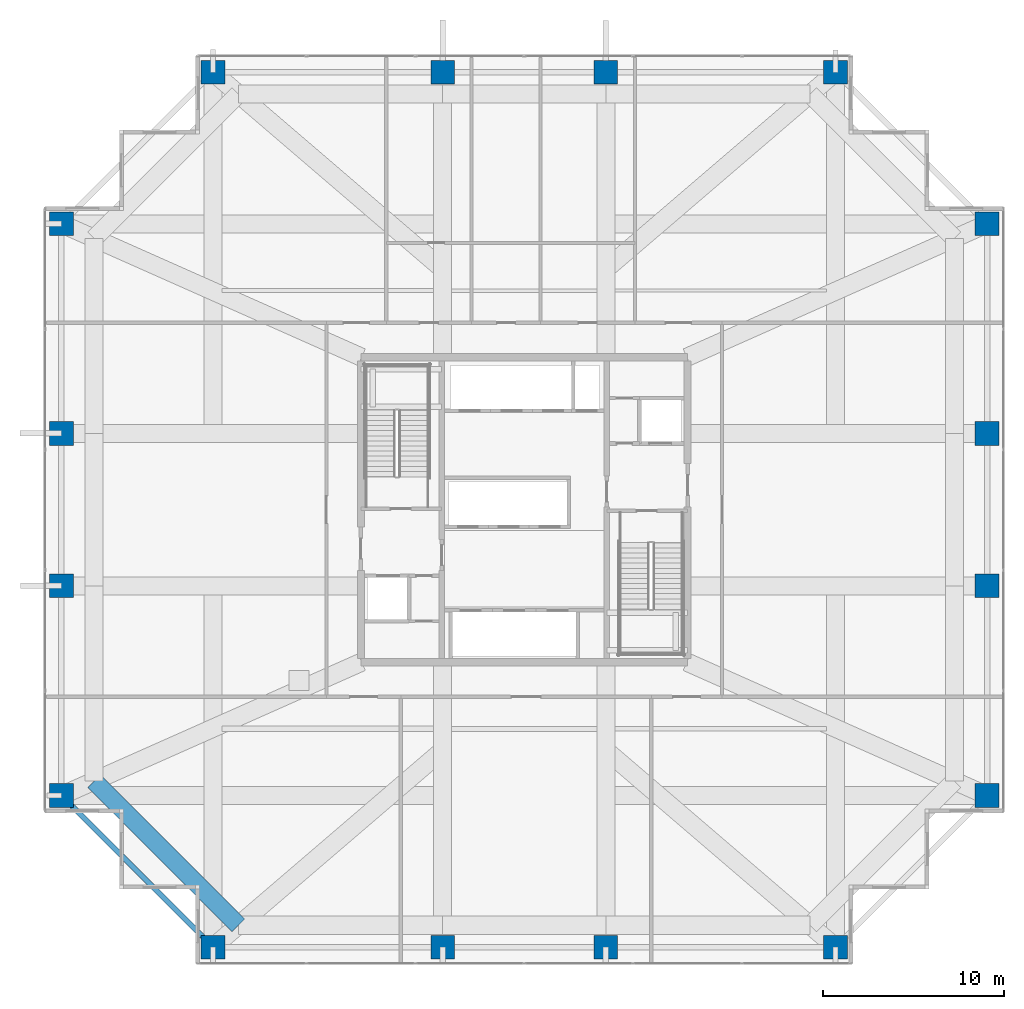
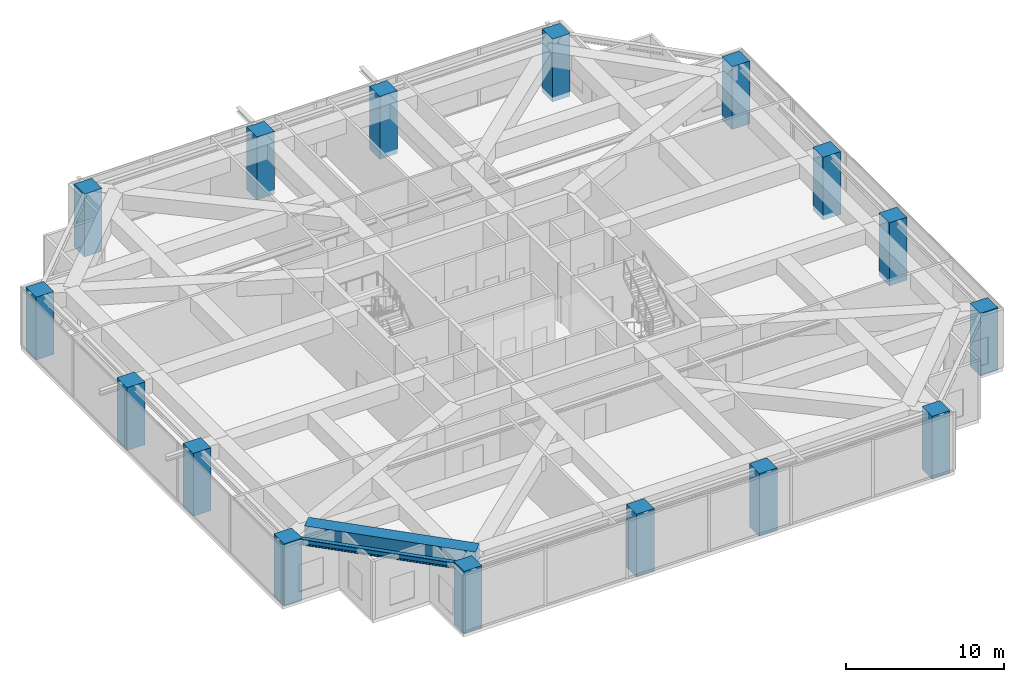
# One storey, part 1 of 35: 16 columns, 2 beams.
"""IFC4 building model written with IfcOpenShell, lengths in metres."""

from ifc_helpers import new_model, si_unit, direction, frame, origin, origin_2d, place, context, subcontext, project, spatial, rectangle, i_section, extrude, source, transform, mapped, material, material_profile, profile_set, type_object, element, save


model = new_model("IFC4")

# Units and contexts
model_context = context("Model", 3, precision=1e-05, world=origin(), true_north=direction((0.0, 1.0)))
body_context = subcontext(model_context, "Body", "Model", "MODEL_VIEW")
ifc_project = project(units=[si_unit("LENGTHUNIT", "METRE"), si_unit("AREAUNIT", "SQUARE_METRE"), si_unit("VOLUMEUNIT", "CUBIC_METRE"), si_unit("PLANEANGLEUNIT", "RADIAN"), si_unit("MASSUNIT", "GRAM", prefix="KILO")], contexts=[model_context])

# Site, building, storey
site_placement = place(None, origin())
site = spatial("IfcSite", under=ifc_project, at=site_placement, CompositionType="ELEMENT")
building_placement = place(site_placement, origin())
building = spatial("IfcBuilding", under=site, at=building_placement, Name="Serunith Strait Residences", CompositionType="ELEMENT")
storey_placement = place(building_placement, frame((0.0, 0.0, 115.199951171875)))
storey = spatial("IfcBuildingStorey", under=building, at=storey_placement, Name="L28", CompositionType="ELEMENT", Elevation=115.199951171875)

# Columns
ifc_material_1 = material(Name="Concrete C80/95", Category="concrete")
ifc_material_profile_1 = material_profile(ifc_material_1, rectangle(XDim=1.300048828125, YDim=1.300048828125, at=origin_2d()), Name="RC 1300x1300")
ifc_profile_set_1 = profile_set([ifc_material_profile_1], Name="Concrete C80/95")
column_type = type_object("IfcColumnType", Name="COL-RC-1300", PredefinedType="COLUMN", material=ifc_profile_set_1)
shared_shape_1 = source(origin(), body_context, "Body", "SweptSolid", [
    extrude(rectangle(XDim=1.300048828125, YDim=1.300048828125, at=origin_2d()), origin(), (0.0, 0.0, 1.0), 4.869873046875),
])
for number, where, z_axis, x_axis, name in (
    (1, (15.25, 1.10009765625, -0.35986328125), (0.0, 0.0, 1.0), (1.0, 0.0, 0.0), "L28 Tower Mega-Column TC-S1"),
    (2, (27.89990234375, 1.10009765625, -0.35986328125), (0.0, 0.0, 1.0), (1.0, 0.0, 0.0), "L28 Tower Mega-Column TC-S2"),
    (3, (36.89990234375, 1.10009765625, -0.35986328125), (0.0, 0.0, 1.0), (1.0, 0.0, 0.0), "L28 Tower Mega-Column TC-S3"),
    (4, (49.550048828125, 1.10009765625, -0.35986328125), (0.0, 0.0, 1.0), (1.0, 0.0, 0.0), "L28 Tower Mega-Column TC-S4"),
    (5, (15.25, 49.300048828125, -0.35986328125), (0.0, 0.0, 1.0), (1.0, 0.0, 0.0), "L28 Tower Mega-Column TC-N1"),
    (6, (27.89990234375, 49.300048828125, -0.35986328125), (0.0, 0.0, 1.0), (1.0, 0.0, 0.0), "L28 Tower Mega-Column TC-N2"),
    (7, (36.89990234375, 49.300048828125, -0.35986328125), (0.0, 0.0, 1.0), (1.0, 0.0, 0.0), "L28 Tower Mega-Column TC-N3"),
    (8, (49.550048828125, 49.300048828125, -0.35986328125), (0.0, 0.0, 1.0), (1.0, 0.0, 0.0), "L28 Tower Mega-Column TC-N4"),
    (9, (57.89990234375, 9.449951171875, -0.35986328125), (0.0, 0.0, 1.0), (1.0, 0.0, 0.0), "L28 Tower Mega-Column TC-E1"),
    (10, (57.89990234375, 21.0, -0.35986328125), (0.0, 0.0, 1.0), (1.0, 0.0, 0.0), "L28 Tower Mega-Column TC-E2"),
    (11, (57.89990234375, 29.39990234375, -0.35986328125), (0.0, 0.0, 1.0), (1.0, 0.0, 0.0), "L28 Tower Mega-Column TC-E3"),
    (12, (57.89990234375, 40.949951171875, -0.35986328125), (0.0, 0.0, 1.0), (1.0, 0.0, 0.0), "L28 Tower Mega-Column TC-E4"),
    (13, (6.89990234375, 9.449951171875, -0.35986328125), (0.0, 0.0, 1.0), (1.0, 0.0, 0.0), "L28 Tower Mega-Column TC-W1"),
    (14, (6.89990234375, 21.0, -0.35986328125), (0.0, 0.0, 1.0), (1.0, 0.0, 0.0), "L28 Tower Mega-Column TC-W2"),
    (15, (6.89990234375, 29.39990234375, -0.35986328125), (0.0, 0.0, 1.0), (1.0, 0.0, 0.0), "L28 Tower Mega-Column TC-W3"),
    (16, (6.89990234375, 40.949951171875, -0.35986328125), (0.0, 0.0, 1.0), (1.0, 0.0, 0.0), "L28 Tower Mega-Column TC-W4"),
):
    element("IfcColumn", number, at=place(storey_placement, frame(where, z_axis=z_axis, x_axis=x_axis)), inside=storey, type_object=column_type, Name=name, PredefinedType="COLUMN", context=body_context, shape_type="MappedRepresentation", body=[
        mapped(shared_shape_1, transform((0.0, 0.0, 0.0), scale=1.0)),
    ])

# Beams
ifc_material_2 = material(Name="Steel S355J2", Category="steel")
ifc_material_profile_2 = material_profile(ifc_material_2, i_section(OverallWidth=0.300048828125, OverallDepth=0.449951171875, WebThickness=0.013916015625, FlangeThickness=0.02587890625, FilletRadius=0.027099609375, at=origin_2d()), Name="HEB 450")
ifc_profile_set_2 = profile_set([ifc_material_profile_2], Name="Steel S355J2")
beam_type_1 = type_object("IfcBeamType", Name="BM-HEB450", PredefinedType="BEAM", material=ifc_profile_set_2)
shared_shape_2 = source(origin(), body_context, "Body", "SweptSolid", [
    extrude(i_section(OverallWidth=0.300048828125, OverallDepth=0.449951171875, WebThickness=0.013916015625, FlangeThickness=0.02587890625, FilletRadius=0.027099609375, at=origin_2d()), origin(), (0.0, 0.0, 1.0), 11.80859375),
])
beam_1_placement = place(storey_placement, frame((6.89990234375, 9.449951171875, 4.281982421875), z_axis=(0.707117118476, -0.707096443746, 0.0), x_axis=(0.707096443746, 0.707117118476, 0.0)))
element("IfcBeam", 17, at=beam_1_placement, inside=storey, type_object=beam_type_1, Name="L28 Perimeter Ring Beam 16", PredefinedType="BEAM", context=body_context, shape_type="MappedRepresentation", body=[
    mapped(shared_shape_2, transform((0.0, 0.0, 0.0), scale=1.0)),
])
ifc_material_profile_3 = material_profile(ifc_material_1, rectangle(XDim=1.0, YDim=1.14990234375, at=origin_2d()), Name="RC 1000x1150")
ifc_profile_set_3 = profile_set([ifc_material_profile_3], Name="Concrete C80/95")
beam_type_2 = type_object("IfcBeamType", Name="BM-XFER-1000x1150", PredefinedType="BEAM", material=ifc_profile_set_3)
shared_shape_3 = source(origin(), body_context, "Body", "SweptSolid", [
    extrude(rectangle(XDim=1.0, YDim=1.14990234375, at=origin_2d()), origin(), (0.0, 0.0, 1.0), 11.242919921875),
])
beam_2_placement = place(storey_placement, frame((8.699951171875, 10.25, 3.93505859375), z_axis=(0.707106781187, -0.707106781187, 0.0), x_axis=(0.707106781187, 0.707106781187, 0.0)))
element("IfcBeam", 18, at=beam_2_placement, inside=storey, type_object=beam_type_2, Name="L28 Flare Upper Ring Transfer Girder 16", PredefinedType="BEAM", context=body_context, shape_type="MappedRepresentation", body=[
    mapped(shared_shape_3, transform((0.0, 0.0, 0.0), scale=1.0)),
])

save(model, "model.ifc")
